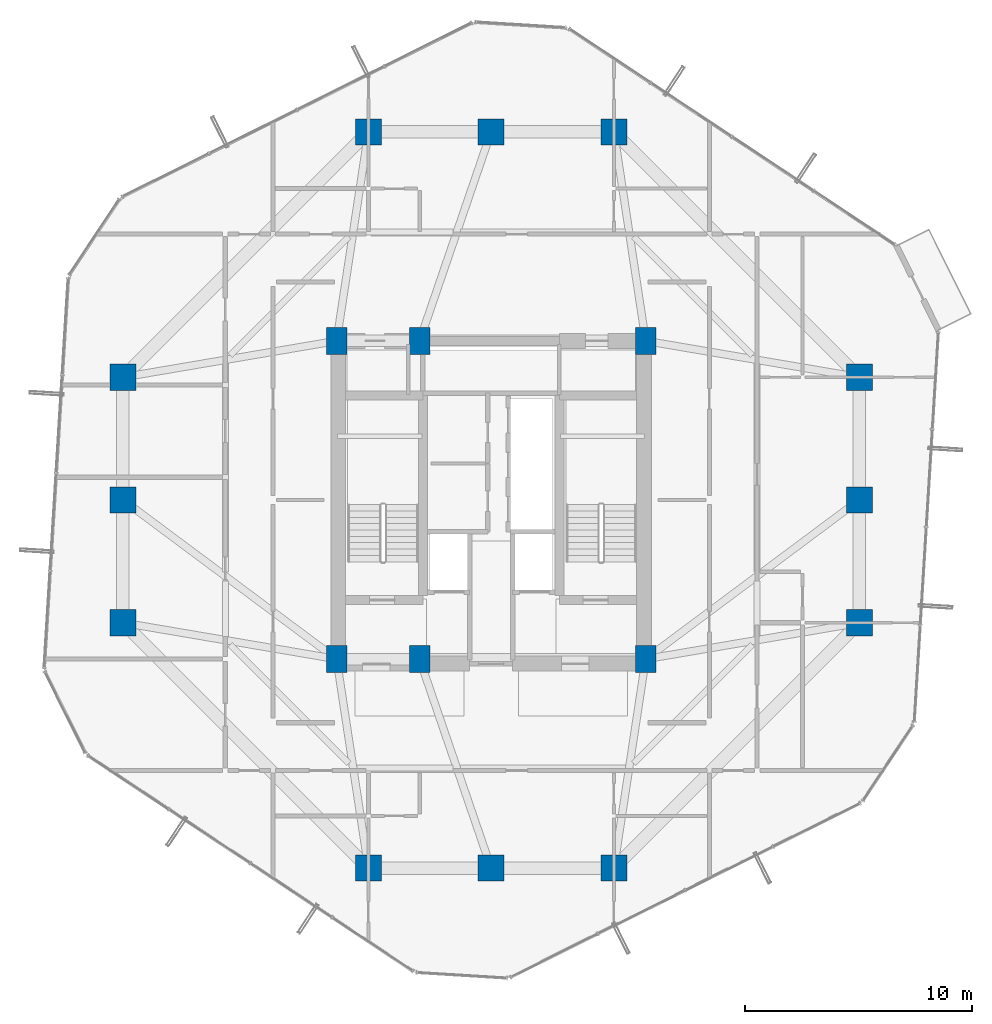
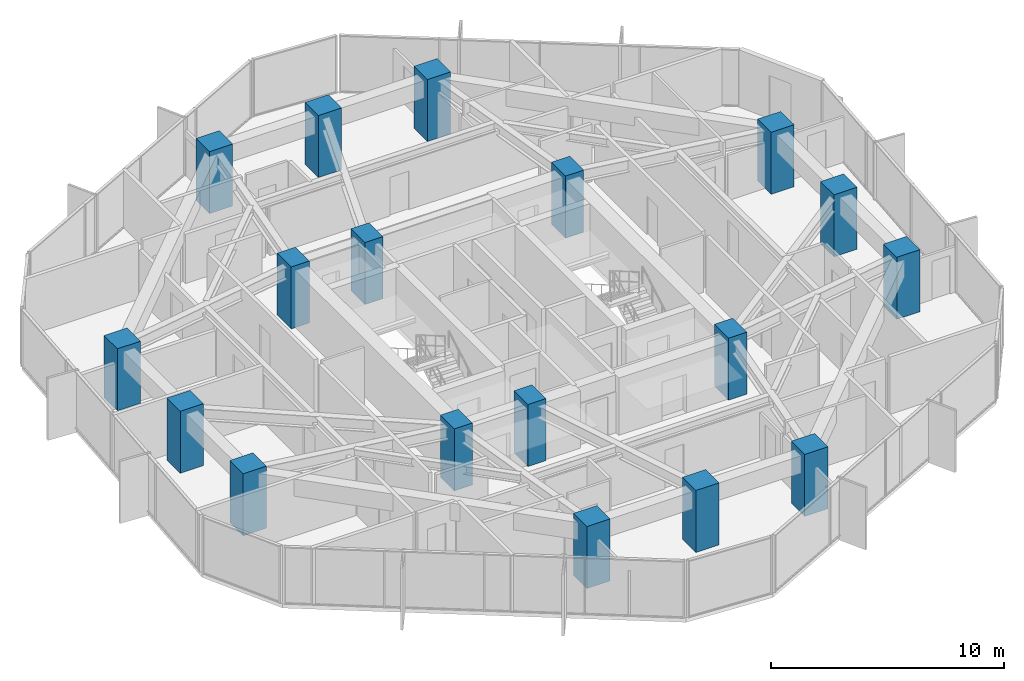
# One storey, part 1 of 30: 18 columns.
"""IFC4 building model written with IfcOpenShell, lengths in metres."""

from ifc_helpers import new_model, si_unit, direction, frame, origin, origin_2d, place, context, subcontext, project, spatial, rectangle, extrude, material, material_profile, profile_set, type_object, element, save


model = new_model("IFC4")

# Units and contexts
model_context = context("Model", 3, precision=1e-05, world=origin(), true_north=direction((0.0, 1.0)))
body_context = subcontext(model_context, "Body", "Model", "MODEL_VIEW")
ifc_project = project(units=[si_unit("LENGTHUNIT", "METRE"), si_unit("AREAUNIT", "SQUARE_METRE"), si_unit("VOLUMEUNIT", "CUBIC_METRE"), si_unit("PLANEANGLEUNIT", "RADIAN"), si_unit("MASSUNIT", "GRAM", prefix="KILO")], contexts=[model_context])

# Site, building, storey
site_placement = place(None, origin())
site = spatial("IfcSite", under=ifc_project, at=site_placement, CompositionType="ELEMENT")
building_placement = place(site_placement, origin())
building = spatial("IfcBuilding", under=site, at=building_placement, Name="Veraguas Prism Commons", CompositionType="ELEMENT")
storey_placement = place(building_placement, frame((0.0, 0.0, 116.5)))
storey = spatial("IfcBuildingStorey", under=building, at=storey_placement, Name="L32", CompositionType="ELEMENT", Elevation=116.5)

# Columns
ifc_material = material(Name="Concrete C60/75", Category="concrete")
ifc_material_profile_1 = material_profile(ifc_material, rectangle(XDim=1.14990234375, YDim=1.14990234375, at=origin_2d()), Name="RC1150X1150")
ifc_profile_set_1 = profile_set([ifc_material_profile_1], Name="Concrete C60/75")
column_type_1 = type_object("IfcColumnType", Name="Column Tube Z2 RC 1150x1150", PredefinedType="COLUMN", material=ifc_profile_set_1)
for number, where, z_axis, x_axis, name in (
    (1, (40.199951171875, 18.60009765625, 0.0), (0.0, 0.0, 1.0), (1.0, 0.0, 0.0), "Tower Perimeter Column L32-TB01"),
    (2, (40.199951171875, 24.0, 0.0), (0.0, 0.0, 1.0), (1.0, 0.0, 0.0), "Tower Perimeter Column L32-TB02"),
    (3, (40.199951171875, 29.39990234375, 0.0), (0.0, 0.0, 1.0), (1.0, 0.0, 0.0), "Tower Perimeter Column L32-TB03"),
    (4, (29.39990234375, 40.199951171875, 0.0), (0.0, 0.0, 1.0), (1.0, 0.0, 0.0), "Tower Perimeter Column L32-TB04"),
    (5, (24.0, 40.199951171875, 0.0), (0.0, 0.0, 1.0), (1.0, 0.0, 0.0), "Tower Perimeter Column L32-TB05"),
    (6, (18.60009765625, 40.199951171875, 0.0), (0.0, 0.0, 1.0), (1.0, 0.0, 0.0), "Tower Perimeter Column L32-TB06"),
    (7, (7.800048828125, 29.39990234375, 0.0), (0.0, 0.0, 1.0), (1.0, 0.0, 0.0), "Tower Perimeter Column L32-TB07"),
    (8, (7.800048828125, 24.0, 0.0), (0.0, 0.0, 1.0), (1.0, 0.0, 0.0), "Tower Perimeter Column L32-TB08"),
    (9, (7.800048828125, 18.60009765625, 0.0), (0.0, 0.0, 1.0), (1.0, 0.0, 0.0), "Tower Perimeter Column L32-TB09"),
    (10, (18.60009765625, 7.800048828125, 0.0), (0.0, 0.0, 1.0), (1.0, 0.0, 0.0), "Tower Perimeter Column L32-TB10"),
    (11, (24.0, 7.800048828125, 0.0), (0.0, 0.0, 1.0), (1.0, 0.0, 0.0), "Tower Perimeter Column L32-TB11"),
    (12, (29.39990234375, 7.800048828125, 0.0), (0.0, 0.0, 1.0), (1.0, 0.0, 0.0), "Tower Perimeter Column L32-TB12"),
):
    element("IfcColumn", number, at=place(storey_placement, frame(where, z_axis=z_axis, x_axis=x_axis)), inside=storey, type_object=column_type_1, Name=name, PredefinedType="COLUMN", context=body_context, shape_type="SweptSolid", body=[
        extrude(rectangle(XDim=1.14990234375, YDim=1.14990234375, at=origin_2d()), origin(), (0.0, 0.0, 1.0), 3.25),
    ])
ifc_material_profile_2 = material_profile(ifc_material, rectangle(XDim=0.89990234375, YDim=1.199951171875, at=origin_2d()), Name="RC900X1200")
ifc_profile_set_2 = profile_set([ifc_material_profile_2], Name="Concrete C60/75")
column_type_2 = type_object("IfcColumnType", Name="Pilaster Core Lower RC 900x1200", PredefinedType="PILASTER", material=ifc_profile_set_2)
for number, where, z_axis, x_axis, name in (
    (13, (17.199951171875, 17.0, 0.0), (0.0, 0.0, 1.0), (1.0, 0.0, 0.0), "Core Pilaster Column L32-CR1"),
    (14, (20.85009765625, 17.0, 0.0), (0.0, 0.0, 1.0), (1.0, 0.0, 0.0), "Core Pilaster Column L32-CR2"),
    (15, (30.800048828125, 17.0, 0.0), (0.0, 0.0, 1.0), (1.0, 0.0, 0.0), "Core Pilaster Column L32-CR3"),
    (16, (17.199951171875, 31.0, 0.0), (0.0, 0.0, 1.0), (1.0, 0.0, 0.0), "Core Pilaster Column L32-CR4"),
    (17, (20.85009765625, 31.0, 0.0), (0.0, 0.0, 1.0), (1.0, 0.0, 0.0), "Core Pilaster Column L32-CR5"),
    (18, (30.800048828125, 31.0, 0.0), (0.0, 0.0, 1.0), (1.0, 0.0, 0.0), "Core Pilaster Column L32-CR6"),
):
    element("IfcColumn", number, at=place(storey_placement, frame(where, z_axis=z_axis, x_axis=x_axis)), inside=storey, type_object=column_type_2, Name=name, PredefinedType="PILASTER", context=body_context, shape_type="SweptSolid", body=[
        extrude(rectangle(XDim=0.89990234375, YDim=1.199951171875, at=origin_2d()), origin(), (0.0, 0.0, 1.0), 3.25),
    ])

save(model, "model.ifc")
